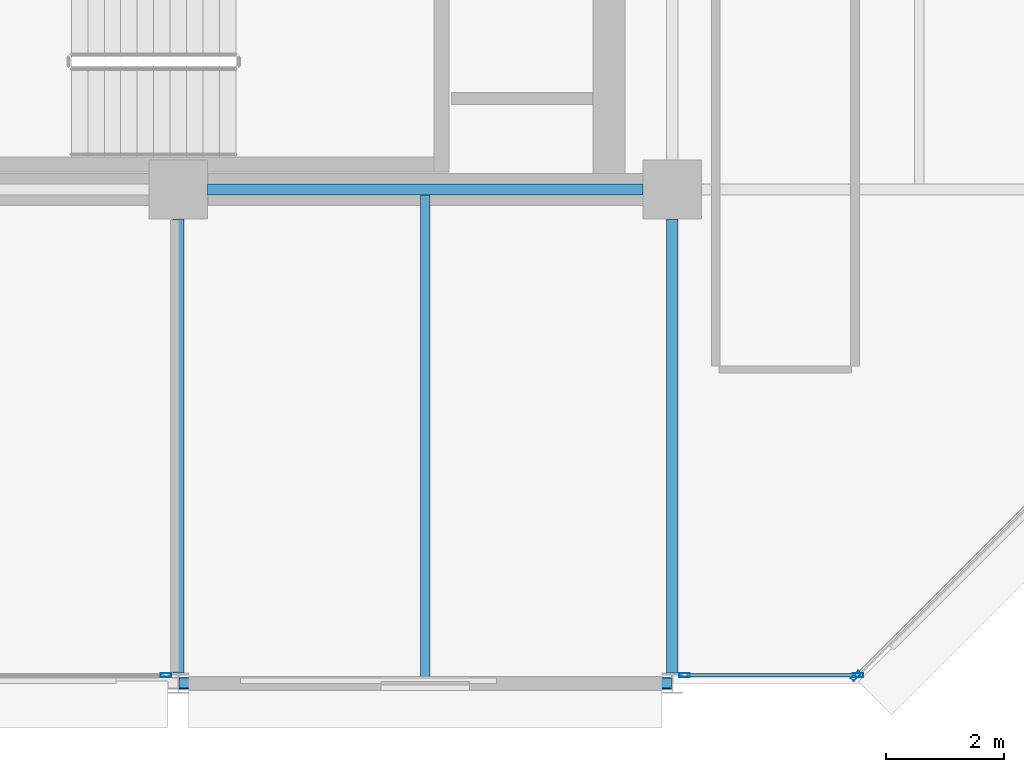
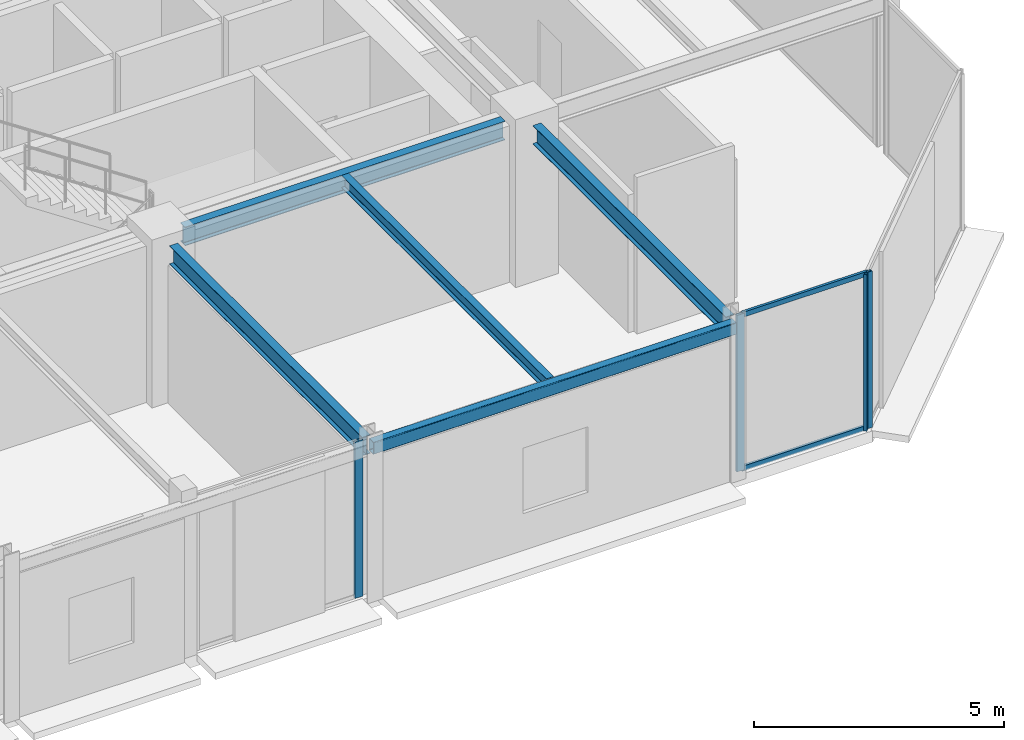
# One storey, part 11 of 29: 6 members, 5 beams, 3 elements without a shape of their own.
"""IFC4 building model written with IfcOpenShell, lengths in metres."""

from ifc_helpers import new_model, si_unit, direction, frame, origin, origin_2d, place, context, subcontext, project, spatial, hollow_rectangle, i_section, extrude, material, layer, layer_set, material_profile, profile_set, type_object, element, aggregate, save


model = new_model("IFC4")

# Units and contexts
model_context = context("Model", 3, precision=1e-05, world=origin(), true_north=direction((0.0, 1.0)))
body_context = subcontext(model_context, "Body", "Model", "MODEL_VIEW")
ifc_project = project(units=[si_unit("LENGTHUNIT", "METRE"), si_unit("AREAUNIT", "SQUARE_METRE"), si_unit("VOLUMEUNIT", "CUBIC_METRE"), si_unit("PLANEANGLEUNIT", "RADIAN"), si_unit("MASSUNIT", "GRAM", prefix="KILO")], contexts=[model_context])

# Site, building, storey
site_placement = place(None, origin())
site = spatial("IfcSite", under=ifc_project, at=site_placement, CompositionType="ELEMENT")
building_placement = place(site_placement, origin())
building = spatial("IfcBuilding", under=site, at=building_placement, Name="Nerrivon Quay Data Exchange", CompositionType="ELEMENT")
storey_placement = place(building_placement, frame((0.0, 0.0, 191.89990234375)))
storey = spatial("IfcBuildingStorey", under=building, at=storey_placement, Name="L45", CompositionType="ELEMENT", Elevation=191.89990234375)

# Beams
ifc_material_1 = material(Name="Steel Grade 350", Category="steel")
ifc_material_profile_1 = material_profile(ifc_material_1, i_section(OverallWidth=0.19091796875, OverallDepth=0.4599609375, WebThickness=0.010009765625, FlangeThickness=0.01611328125, FilletRadius=0.011474609375, at=origin_2d()), Name="460UB82.1")
ifc_profile_set_1 = profile_set([ifc_material_profile_1], Name="Steel Grade 350")
beam_type_1 = type_object("IfcBeamType", Name="BM-G5-460UB82", PredefinedType="BEAM", material=ifc_profile_set_1)
beam_1_placement = place(storey_placement, frame((25.699951171875, 8.39990234375, 3.59521484375), z_axis=(1.0, 0.0, 0.0), x_axis=(0.0, 1.0, 0.0)))
element("IfcBeam", 1, at=beam_1_placement, inside=storey, type_object=beam_type_1, Name="L45 EW Girder Y=8.4 (25.2..33.6)", PredefinedType="BEAM", context=body_context, shape_type="SweptSolid", body=[
    extrude(i_section(OverallWidth=0.19091796875, OverallDepth=0.4599609375, WebThickness=0.010009765625, FlangeThickness=0.01611328125, FilletRadius=0.011474609375, at=origin_2d()), origin(), (0.0, 0.0, 1.0), 7.400146484375),
])
ifc_material_profile_2 = material_profile(ifc_material_1, i_section(OverallWidth=0.18994140625, OverallDepth=0.4541015625, WebThickness=0.008544921875, FlangeThickness=0.0126953125, FilletRadius=0.011474609375, at=origin_2d()), Name="460UB67.1")
ifc_profile_set_2 = profile_set([ifc_material_profile_2], Name="Steel Grade 350")
beam_type_2 = type_object("IfcBeamType", Name="BM-G6-460UB67", PredefinedType="BEAM", material=ifc_profile_set_2)
for number, where, z_axis, x_axis, name in (
    (2, (25.199951171875, 0.175048828125, 3.59814453125), (0.0, 1.0, 0.0), (-1.0, 0.0, 0.0), "L45 NS Girder X=25.2 (0.0..8.4)"),
    (3, (33.60009765625, 0.175048828125, 3.59814453125), (0.0, 1.0, 0.0), (-1.0, 0.0, 0.0), "L45 NS Girder X=33.6 (0.0..8.4)"),
):
    element("IfcBeam", number, at=place(storey_placement, frame(where, z_axis=z_axis, x_axis=x_axis)), inside=storey, type_object=beam_type_2, Name=name, PredefinedType="BEAM", context=body_context, shape_type="SweptSolid", body=[
        extrude(i_section(OverallWidth=0.18994140625, OverallDepth=0.4541015625, WebThickness=0.008544921875, FlangeThickness=0.0126953125, FilletRadius=0.011474609375, at=origin_2d()), origin(), (0.0, 0.0, 1.0), 7.724853515625),
    ])
ifc_material_profile_3 = material_profile(ifc_material_1, i_section(OverallWidth=0.166015625, OverallDepth=0.306884765625, WebThickness=0.006591796875, FlangeThickness=0.01171875, FilletRadius=0.011474609375, at=origin_2d()), Name="310UB46.2")
ifc_profile_set_3 = profile_set([ifc_material_profile_3], Name="Steel Grade 350")
beam_type_3 = type_object("IfcBeamType", Name="BM-J5-310UB46", PredefinedType="JOIST", material=ifc_profile_set_3)
beam_2_placement = place(storey_placement, frame((29.39990234375, 0.10009765625, 3.671630859375), z_axis=(0.0, 1.0, 0.0), x_axis=(-1.0, 0.0, 0.0)))
element("IfcBeam", 4, at=beam_2_placement, inside=storey, type_object=beam_type_3, Name="L45 Secondary Joist X=29.4 (0.0..8.4)", PredefinedType="JOIST", context=body_context, shape_type="SweptSolid", body=[
    extrude(i_section(OverallWidth=0.166015625, OverallDepth=0.306884765625, WebThickness=0.006591796875, FlangeThickness=0.01171875, FilletRadius=0.011474609375, at=origin_2d()), origin(), (0.0, 0.0, 1.0), 8.204345703125),
])
ifc_material_2 = material(Name="Steel Grade C350L0 (350 MPa)", Category="steel")
ifc_material_profile_4 = material_profile(ifc_material_2, hollow_rectangle(XDim=0.199951171875, YDim=0.300048828125, WallThickness=0.012451171875, InnerFilletRadius=0.018798828125, OuterFilletRadius=0.03125, at=origin_2d()), Name="300x200x12.5RHS")
ifc_profile_set_4 = profile_set([ifc_material_profile_4], Name="Steel Grade C350L0 (350 MPa)")
beam_type_4 = type_object("IfcBeamType", Name="BM-SP3-300x200RHS", PredefinedType="SPANDREL", material=ifc_profile_set_4)
beam_3_placement = place(storey_placement, frame((25.2099609375, 0.0, 3.675048828125), z_axis=(1.0, 0.0, 0.0), x_axis=(0.0, 1.0, 0.0)))
element("IfcBeam", 5, at=beam_3_placement, inside=storey, type_object=beam_type_4, Name="L45 EW Girder Y=0.0 (25.2..33.6)", PredefinedType="SPANDREL", context=body_context, shape_type="SweptSolid", body=[
    extrude(hollow_rectangle(XDim=0.199951171875, YDim=0.300048828125, WallThickness=0.012451171875, InnerFilletRadius=0.018798828125, OuterFilletRadius=0.03125, at=origin_2d()), origin(), (0.0, 0.0, 1.0), 8.380126953125),
])

# Curtain wall, member
ifc_material_3 = material(Name="Anodised aluminium 6063-T6", Category="aluminium")
ifc_layer = layer(ifc_material_3, 0.195068359375)
ifc_layer_set = layer_set([ifc_layer], Name="Anodised aluminium 6063-T6")
curtain_wall_type = type_object("IfcCurtainWallType", Name="CW-SYS-06", PredefinedType="NOTDEFINED", material=ifc_layer_set)
curtain_wall_1_placement = place(storey_placement, origin())
curtain_wall_1 = element("IfcCurtainWall", 6, at=curtain_wall_1_placement, inside=storey, type_object=curtain_wall_type, Name="L45 Unitised Curtain Wall 21", PredefinedType="NOTDEFINED")
ifc_material_profile_5 = material_profile(ifc_material_3, hollow_rectangle(XDim=0.06494140625, YDim=0.179931640625, WallThickness=0.00341796875, at=origin_2d()), Name="ALU-MULL-180x65")
ifc_profile_set_5 = profile_set([ifc_material_profile_5], Name="Anodised aluminium 6063-T6")
member_type_1 = type_object("IfcMemberType", Name="CWM-180x65", PredefinedType="MULLION", material=ifc_profile_set_5)
member_1_placement = place(storey_placement, frame((36.7275390625, 0.12548828125, 0.0), z_axis=(0.0, 0.0, 1.0), x_axis=(0.707106781187, -0.707106781187, 0.0)))
member_1 = element("IfcMember", 7, at=member_1_placement, type_object=member_type_1, Name="CW06 mullion 2", PredefinedType="MULLION", context=body_context, shape_type="SweptSolid", body=[
    extrude(hollow_rectangle(XDim=0.06494140625, YDim=0.179931640625, WallThickness=0.00341796875, at=origin_2d()), origin(), (0.0, 0.0, 1.0), 3.8251953125),
])
aggregate(curtain_wall_1, [member_1])

# Curtain wall, members
curtain_wall_2_placement = place(storey_placement, origin())
curtain_wall_2 = element("IfcCurtainWall", 8, at=curtain_wall_2_placement, inside=storey, type_object=curtain_wall_type, Name="L45 Unitised Curtain Wall 22", PredefinedType="NOTDEFINED")
member_2_placement = place(storey_placement, frame((36.762451171875, 0.139892578125, 0.0), z_axis=(0.0, 0.0, 1.0), x_axis=(0.0, -1.0, 0.0)))
member_2 = element("IfcMember", 9, at=member_2_placement, type_object=member_type_1, Name="CW06 mullion 1", PredefinedType="MULLION", context=body_context, shape_type="SweptSolid", body=[
    extrude(hollow_rectangle(XDim=0.06494140625, YDim=0.179931640625, WallThickness=0.00341796875, at=origin_2d()), origin(), (0.0, 0.0, 1.0), 3.8251953125),
])
member_3_placement = place(storey_placement, frame((33.8125, 0.139892578125, 0.0), z_axis=(0.0, 0.0, 1.0), x_axis=(0.0, -1.0, 0.0)))
member_3 = element("IfcMember", 10, at=member_3_placement, type_object=member_type_1, Name="CW06 mullion 2", PredefinedType="MULLION", context=body_context, shape_type="SweptSolid", body=[
    extrude(hollow_rectangle(XDim=0.06494140625, YDim=0.179931640625, WallThickness=0.00341796875, at=origin_2d()), origin(), (0.0, 0.0, 1.0), 3.8251953125),
])

# Curtain wall, member
curtain_wall_3_placement = place(storey_placement, origin())
curtain_wall_3 = element("IfcCurtainWall", 11, at=curtain_wall_3_placement, inside=storey, type_object=curtain_wall_type, Name="L45 Unitised Curtain Wall 24", PredefinedType="NOTDEFINED")
member_4_placement = place(storey_placement, frame((24.987548828125, 0.139892578125, 0.0), z_axis=(0.0, 0.0, 1.0), x_axis=(0.0, -1.0, 0.0)))
member_4 = element("IfcMember", 12, at=member_4_placement, type_object=member_type_1, Name="CW06 mullion 1", PredefinedType="MULLION", context=body_context, shape_type="SweptSolid", body=[
    extrude(hollow_rectangle(XDim=0.06494140625, YDim=0.179931640625, WallThickness=0.00341796875, at=origin_2d()), origin(), (0.0, 0.0, 1.0), 3.8251953125),
])
aggregate(curtain_wall_3, [member_4])

# Member
ifc_material_profile_6 = material_profile(ifc_material_3, hollow_rectangle(XDim=0.06005859375, YDim=0.1201171875, WallThickness=0.003173828125, at=origin_2d()), Name="ALU-TRAN-120x60")
ifc_profile_set_6 = profile_set([ifc_material_profile_6], Name="Anodised aluminium 6063-T6")
member_type_2 = type_object("IfcMemberType", Name="CWT-120x60", PredefinedType="USERDEFINED", material=ifc_profile_set_6)
member_5_placement = place(storey_placement, frame((36.72509765625, 0.139892578125, 0.03271484375), z_axis=(-1.0, 0.0, 0.0), x_axis=(0.0, -1.0, 0.0)))
member_5 = element("IfcMember", 13, at=member_5_placement, type_object=member_type_2, Name="CW06 transom 1.1", ObjectType="TRANSOM", PredefinedType="USERDEFINED", context=body_context, shape_type="SweptSolid", body=[
    extrude(hollow_rectangle(XDim=0.06005859375, YDim=0.1201171875, WallThickness=0.003173828125, at=origin_2d()), origin(), (0.0, 0.0, 1.0), 2.875),
])

member_6_placement = place(storey_placement, frame((36.72509765625, 0.139892578125, 3.79248046875), z_axis=(-1.0, 0.0, 0.0), x_axis=(0.0, -1.0, 0.0)))
member_6 = element("IfcMember", 14, at=member_6_placement, type_object=member_type_2, Name="CW06 transom 1.2", ObjectType="TRANSOM", PredefinedType="USERDEFINED", context=body_context, shape_type="SweptSolid", body=[
    extrude(hollow_rectangle(XDim=0.06005859375, YDim=0.1201171875, WallThickness=0.003173828125, at=origin_2d()), origin(), (0.0, 0.0, 1.0), 2.875),
])

aggregate(curtain_wall_2, [member_2, member_3, member_5, member_6])

save(model, "model.ifc")
